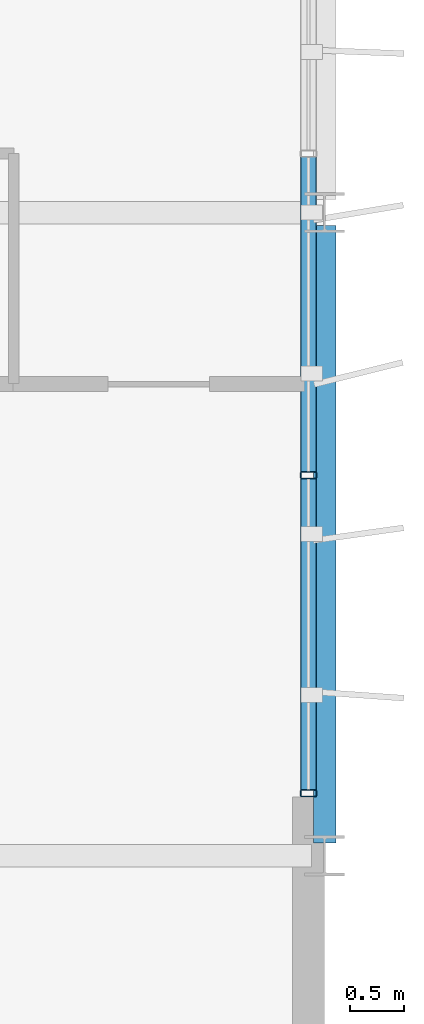
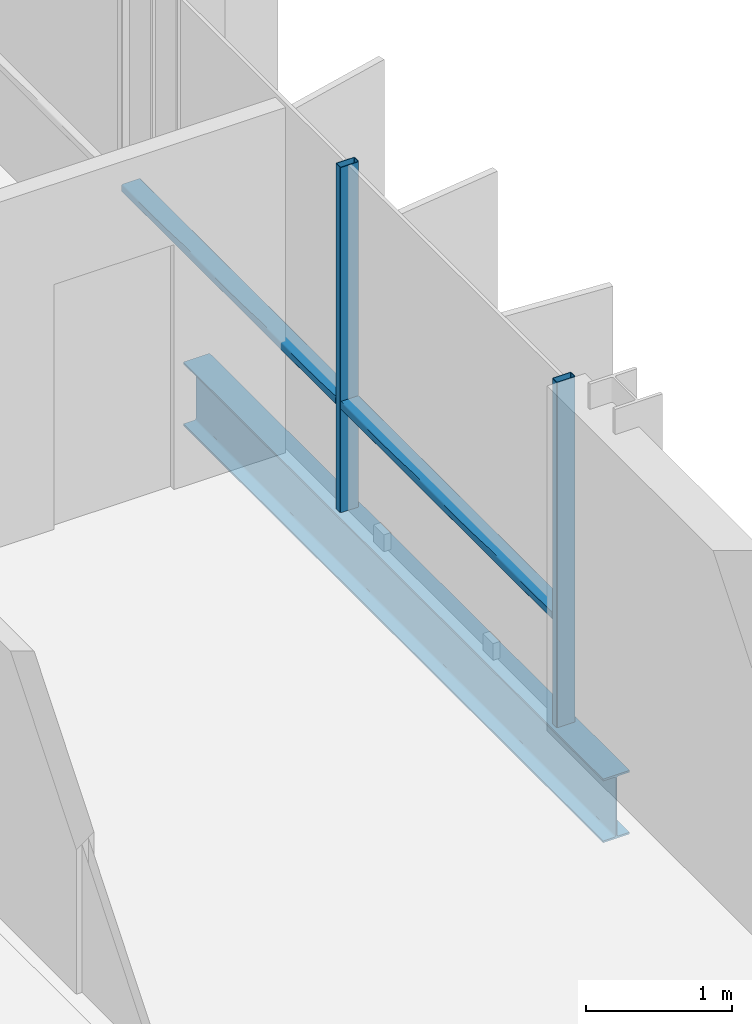
# One storey, part 11 of 30: 4 members, 1 beam, 1 element without a shape of its own.
"""IFC4 building model written with IfcOpenShell, lengths in metres."""

from ifc_helpers import new_model, si_unit, direction, frame, origin, origin_2d, place, context, subcontext, project, spatial, hollow_rectangle, i_section, extrude, material, layer, layer_set, material_profile, profile_set, type_object, element, aggregate, save


model = new_model("IFC4")

# Units and contexts
model_context = context("Model", 3, precision=1e-05, world=origin(), true_north=direction((0.0, 1.0)))
body_context = subcontext(model_context, "Body", "Model", "MODEL_VIEW")
ifc_project = project(units=[si_unit("LENGTHUNIT", "METRE"), si_unit("AREAUNIT", "SQUARE_METRE"), si_unit("VOLUMEUNIT", "CUBIC_METRE"), si_unit("PLANEANGLEUNIT", "RADIAN"), si_unit("MASSUNIT", "GRAM", prefix="KILO")], contexts=[model_context])

# Site, building, storey
site_placement = place(None, origin())
site = spatial("IfcSite", under=ifc_project, at=site_placement, CompositionType="ELEMENT")
building_placement = place(site_placement, origin())
building = spatial("IfcBuilding", under=site, at=building_placement, Name="Brevholm Reach", CompositionType="ELEMENT")
storey_placement = place(building_placement, frame((0.0, 0.0, 204.89990234375)))
storey = spatial("IfcBuildingStorey", under=building, at=storey_placement, Name="L62", CompositionType="ELEMENT", Elevation=204.89990234375)

# Beam
ifc_material_1 = material(Name="Structural Steel S355J2", Category="steel")
ifc_material_profile_1 = material_profile(ifc_material_1, i_section(OverallWidth=0.209228515625, OverallDepth=0.533203125, WebThickness=0.010009765625, FlangeThickness=0.015625, FilletRadius=0.0126953125, at=origin_2d()), Name="UKB 533x210x92")
ifc_profile_set_1 = profile_set([ifc_material_profile_1], Name="Structural Steel S355J2")
beam_type = type_object("IfcBeamType", Name="BM-SP533", PredefinedType="SPANDREL", material=ifc_profile_set_1)
beam_placement = place(storey_placement, frame((60.0, 10.1201171875, -0.4765625), z_axis=(0.0, 1.0, 0.0), x_axis=(-1.0, 0.0, 0.0)))
element("IfcBeam", 1, at=beam_placement, inside=storey, type_object=beam_type, Name="L62 SP-02 Framing Beam", PredefinedType="SPANDREL", context=body_context, shape_type="SweptSolid", body=[
    extrude(i_section(OverallWidth=0.209228515625, OverallDepth=0.533203125, WebThickness=0.010009765625, FlangeThickness=0.015625, FilletRadius=0.0126953125, at=origin_2d()), origin(), (0.0, 0.0, 1.0), 5.759765625),
])

# Curtain wall, members
ifc_material_2 = material(Name="Dark Anodised Aluminium 6063-T6 and Solar-Control Glass", Category="aluminium")
ifc_layer = layer(ifc_material_2, 0.14990234375)
ifc_layer_set = layer_set([ifc_layer], Name="Dark Anodised Aluminium 6063-T6 and Solar-Control Glass")
curtain_wall_type = type_object("IfcCurtainWallType", Name="CW-01", PredefinedType="NOTDEFINED", material=ifc_layer_set)
curtain_wall_placement = place(storey_placement, origin())
curtain_wall = element("IfcCurtainWall", 2, at=curtain_wall_placement, inside=storey, type_object=curtain_wall_type, Name="L62 Curtain Wall CW-01", PredefinedType="NOTDEFINED")
ifc_material_3 = material(Name="Dark Anodised Aluminium 6063-T6", Category="aluminium")
ifc_material_profile_2 = material_profile(ifc_material_3, hollow_rectangle(XDim=0.06494140625, YDim=0.14990234375, WallThickness=0.0048828125, InnerFilletRadius=0.0048828125, OuterFilletRadius=0.010009765625, at=origin_2d()), Name="RHS 150x65x5")
ifc_profile_set_2 = profile_set([ifc_material_profile_2], Name="Dark Anodised Aluminium 6063-T6")
member_type_1 = type_object("IfcMemberType", Name="CWM-150", PredefinedType="MULLION", material=ifc_profile_set_2)
member_1_placement = place(storey_placement, frame((59.85009765625, 10.58251953125, 0.0), z_axis=(0.0, 0.0, 1.0), x_axis=(0.0, 1.0, 0.0)))
member_1 = element("IfcMember", 3, at=member_1_placement, type_object=member_type_1, Name="CM-150 Mullion 1", PredefinedType="MULLION", context=body_context, shape_type="SweptSolid", body=[
    extrude(hollow_rectangle(XDim=0.06494140625, YDim=0.14990234375, WallThickness=0.0048828125, InnerFilletRadius=0.0048828125, OuterFilletRadius=0.010009765625, at=origin_2d()), origin(), (0.0, 0.0, 1.0), 2.89013671875),
])
member_2_placement = place(storey_placement, frame((59.85009765625, 13.550048828125, 0.0), z_axis=(0.0, 0.0, 1.0), x_axis=(0.0, 1.0, 0.0)))
member_2 = element("IfcMember", 4, at=member_2_placement, type_object=member_type_1, Name="CM-150 Mullion 2", PredefinedType="MULLION", context=body_context, shape_type="SweptSolid", body=[
    extrude(hollow_rectangle(XDim=0.06494140625, YDim=0.14990234375, WallThickness=0.0048828125, InnerFilletRadius=0.0048828125, OuterFilletRadius=0.010009765625, at=origin_2d()), origin(), (0.0, 0.0, 1.0), 2.89013671875),
])
ifc_material_4 = material(Name="Dark Anodised Aluminium 6063-T6", Category="aluminium")
ifc_material_profile_3 = material_profile(ifc_material_4, hollow_rectangle(XDim=0.06494140625, YDim=0.14990234375, WallThickness=0.0048828125, InnerFilletRadius=0.0048828125, OuterFilletRadius=0.010009765625, at=origin_2d()), Name="RHS 150x65x5")
ifc_profile_set_3 = profile_set([ifc_material_profile_3], Name="Dark Anodised Aluminium 6063-T6")
member_type_2 = type_object("IfcMemberType", Name="CWT-150", PredefinedType="NOTDEFINED", material=ifc_profile_set_3)
member_3_placement = place(storey_placement, frame((59.85009765625, 10.614990234375, 0.900146484375), z_axis=(0.0, 1.0, 0.0), x_axis=(0.0, 0.0, 1.0)))
member_3 = element("IfcMember", 5, at=member_3_placement, type_object=member_type_2, Name="CT-150 Transom 1.1", ObjectType="TRANSOM", PredefinedType="USERDEFINED", context=body_context, shape_type="SweptSolid", body=[
    extrude(hollow_rectangle(XDim=0.06494140625, YDim=0.14990234375, WallThickness=0.0048828125, InnerFilletRadius=0.0048828125, OuterFilletRadius=0.010009765625, at=origin_2d()), origin(), (0.0, 0.0, 1.0), 2.902587890625),
])
member_4_placement = place(storey_placement, frame((59.85009765625, 13.58251953125, 0.900146484375), z_axis=(0.0, 1.0, 0.0), x_axis=(0.0, 0.0, 1.0)))
member_4 = element("IfcMember", 6, at=member_4_placement, type_object=member_type_2, Name="CT-150 Transom 2.1", ObjectType="TRANSOM", PredefinedType="USERDEFINED", context=body_context, shape_type="SweptSolid", body=[
    extrude(hollow_rectangle(XDim=0.06494140625, YDim=0.14990234375, WallThickness=0.0048828125, InnerFilletRadius=0.0048828125, OuterFilletRadius=0.010009765625, at=origin_2d()), origin(), (0.0, 0.0, 1.0), 2.93505859375),
])
aggregate(curtain_wall, [member_1, member_2, member_3, member_4])

save(model, "model.ifc")
